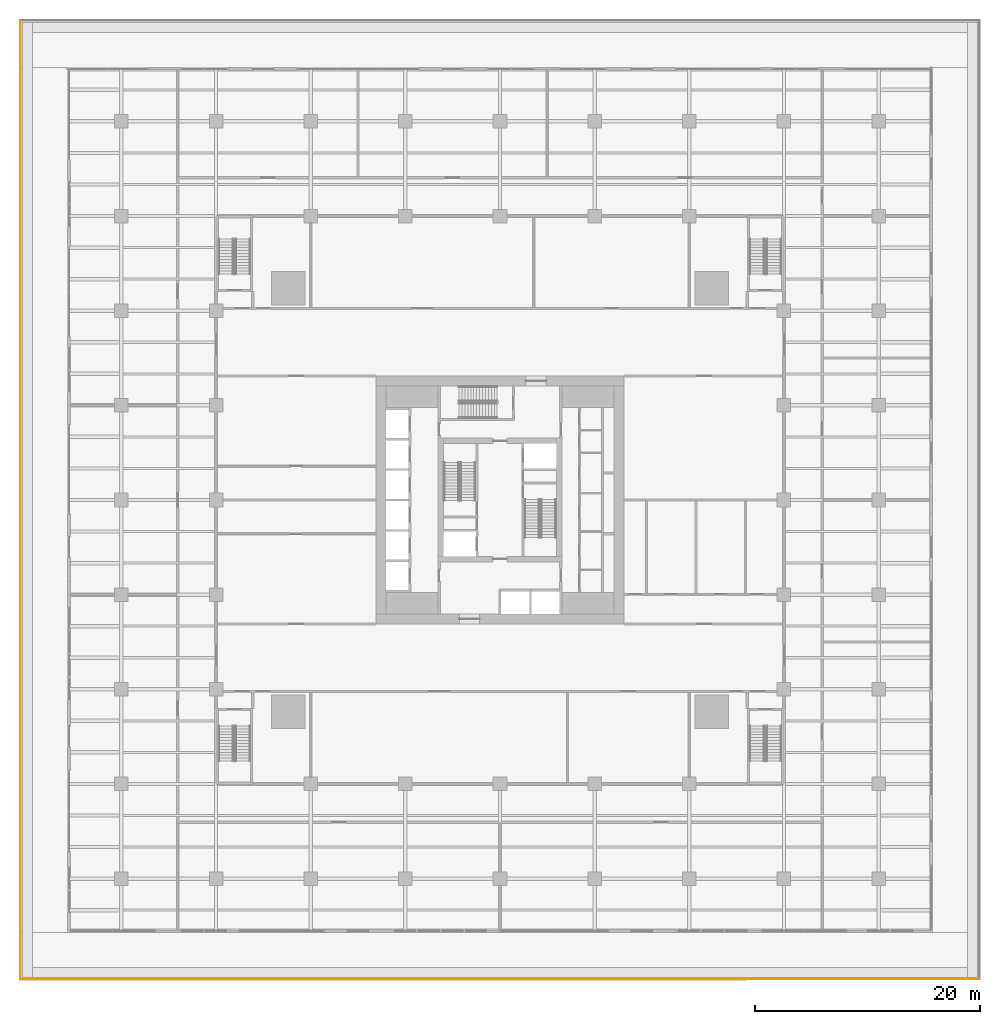
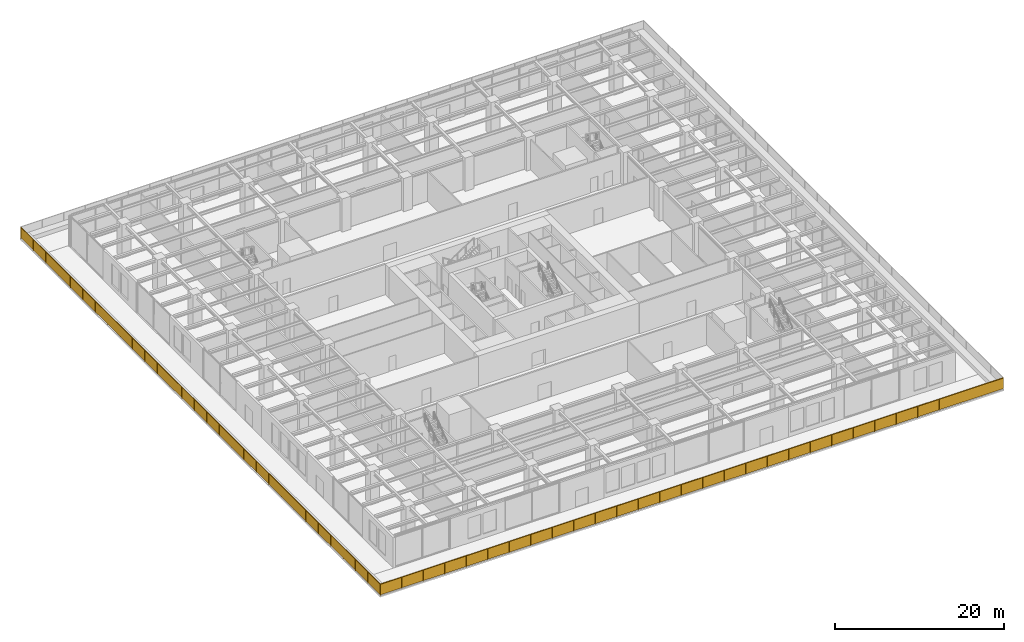
# One storey, part 25 of 32: 2 railings.
"""IFC4 building model written with IfcOpenShell, lengths in metres."""

from ifc_helpers import new_model, si_unit, direction, frame, origin, origin_2d, place, context, subcontext, project, spatial, rectangle, extrude, material, type_object, element, save


model = new_model("IFC4")

# Units and contexts
model_context = context("Model", 3, precision=1e-05, world=origin(), true_north=direction((0.0, 1.0)))
body_context = subcontext(model_context, "Body", "Model", "MODEL_VIEW")
ifc_project = project(units=[si_unit("LENGTHUNIT", "METRE"), si_unit("AREAUNIT", "SQUARE_METRE"), si_unit("VOLUMEUNIT", "CUBIC_METRE"), si_unit("PLANEANGLEUNIT", "RADIAN"), si_unit("MASSUNIT", "GRAM", prefix="KILO")], contexts=[model_context])

# Site, building, storey
site_placement = place(None, origin())
site = spatial("IfcSite", under=ifc_project, at=site_placement, CompositionType="ELEMENT")
building_placement = place(site_placement, origin())
building = spatial("IfcBuilding", under=site, at=building_placement, Name="Khepri Terraces", CompositionType="ELEMENT")
storey_placement = place(building_placement, frame((0.0, 0.0, 12.0)))
storey = spatial("IfcBuildingStorey", under=building, at=storey_placement, Name="L02", CompositionType="ELEMENT", Elevation=12.0)

# Railings
ifc_material = material(Name="Stainless steel grade 316", Category="steel")
railing_type = type_object("IfcRailingType", Name="GRD-TERR-1700", PredefinedType="GUARDRAIL", material=ifc_material)
railing_1_placement = place(storey_placement, frame((42.550048828125, -42.550048828125, 0.0)))
element("IfcRailing", 1, at=railing_1_placement, inside=storey, type_object=railing_type, Name="Terrace guard L02", PredefinedType="GUARDRAIL", context=body_context, shape_type="SweptSolid", body=[
    extrude(rectangle(XDim=0.050048828125, YDim=0.06005859375, at=origin_2d()), frame((0.0, 0.0, 1.669921875), z_axis=(-1.0, 0.0, 0.0), x_axis=(0.0, -1.0, 0.0)), (0.0, 0.0, 1.0), 85.10009765625),
    extrude(rectangle(XDim=2.884521484375, YDim=0.011962890625, at=origin_2d()), frame((-1.46728515625, 0.0, 0.10009765625), z_axis=(0.0, 0.0, 1.0), x_axis=(-1.0, 0.0, 0.0)), (0.0, 0.0, 1.0), 1.539794921875),
    extrude(rectangle(XDim=2.884521484375, YDim=0.011962890625, at=origin_2d()), frame((-4.401611328125, 0.0, 0.10009765625), z_axis=(0.0, 0.0, 1.0), x_axis=(-1.0, 0.0, 0.0)), (0.0, 0.0, 1.0), 1.539794921875),
    extrude(rectangle(XDim=2.884521484375, YDim=0.011962890625, at=origin_2d()), frame((-7.336181640625, 0.0, 0.10009765625), z_axis=(0.0, 0.0, 1.0), x_axis=(-1.0, 0.0, 0.0)), (0.0, 0.0, 1.0), 1.539794921875),
    extrude(rectangle(XDim=2.884521484375, YDim=0.011962890625, at=origin_2d()), frame((-10.270751953125, 0.0, 0.10009765625), z_axis=(0.0, 0.0, 1.0), x_axis=(-1.0, 0.0, 0.0)), (0.0, 0.0, 1.0), 1.539794921875),
    extrude(rectangle(XDim=2.884521484375, YDim=0.011962890625, at=origin_2d()), frame((-13.205078125, 0.0, 0.10009765625), z_axis=(0.0, 0.0, 1.0), x_axis=(-1.0, 0.0, 0.0)), (0.0, 0.0, 1.0), 1.539794921875),
    extrude(rectangle(XDim=2.884521484375, YDim=0.011962890625, at=origin_2d()), frame((-16.1396484375, 0.0, 0.10009765625), z_axis=(0.0, 0.0, 1.0), x_axis=(-1.0, 0.0, 0.0)), (0.0, 0.0, 1.0), 1.539794921875),
    extrude(rectangle(XDim=2.884521484375, YDim=0.011962890625, at=origin_2d()), frame((-19.07421875, 0.0, 0.10009765625), z_axis=(0.0, 0.0, 1.0), x_axis=(-1.0, 0.0, 0.0)), (0.0, 0.0, 1.0), 1.539794921875),
    extrude(rectangle(XDim=2.884521484375, YDim=0.011962890625, at=origin_2d()), frame((-22.008544921875, 0.0, 0.10009765625), z_axis=(0.0, 0.0, 1.0), x_axis=(-1.0, 0.0, 0.0)), (0.0, 0.0, 1.0), 1.539794921875),
    extrude(rectangle(XDim=2.884521484375, YDim=0.011962890625, at=origin_2d()), frame((-24.943115234375, 0.0, 0.10009765625), z_axis=(0.0, 0.0, 1.0), x_axis=(-1.0, 0.0, 0.0)), (0.0, 0.0, 1.0), 1.539794921875),
    extrude(rectangle(XDim=2.884521484375, YDim=0.011962890625, at=origin_2d()), frame((-27.877685546875, 0.0, 0.10009765625), z_axis=(0.0, 0.0, 1.0), x_axis=(-1.0, 0.0, 0.0)), (0.0, 0.0, 1.0), 1.539794921875),
    extrude(rectangle(XDim=2.884521484375, YDim=0.011962890625, at=origin_2d()), frame((-30.81201171875, 0.0, 0.10009765625), z_axis=(0.0, 0.0, 1.0), x_axis=(-1.0, 0.0, 0.0)), (0.0, 0.0, 1.0), 1.539794921875),
    extrude(rectangle(XDim=2.884521484375, YDim=0.011962890625, at=origin_2d()), frame((-33.74658203125, 0.0, 0.10009765625), z_axis=(0.0, 0.0, 1.0), x_axis=(-1.0, 0.0, 0.0)), (0.0, 0.0, 1.0), 1.539794921875),
    extrude(rectangle(XDim=2.884521484375, YDim=0.011962890625, at=origin_2d()), frame((-36.68115234375, 0.0, 0.10009765625), z_axis=(0.0, 0.0, 1.0), x_axis=(-1.0, 0.0, 0.0)), (0.0, 0.0, 1.0), 1.539794921875),
    extrude(rectangle(XDim=2.884521484375, YDim=0.011962890625, at=origin_2d()), frame((-39.615478515625, 0.0, 0.10009765625), z_axis=(0.0, 0.0, 1.0), x_axis=(-1.0, 0.0, 0.0)), (0.0, 0.0, 1.0), 1.539794921875),
    extrude(rectangle(XDim=2.884521484375, YDim=0.011962890625, at=origin_2d()), frame((-42.550048828125, 0.0, 0.10009765625), z_axis=(0.0, 0.0, 1.0), x_axis=(-1.0, 0.0, 0.0)), (0.0, 0.0, 1.0), 1.539794921875),
    extrude(rectangle(XDim=2.884521484375, YDim=0.011962890625, at=origin_2d()), frame((-45.484619140625, 0.0, 0.10009765625), z_axis=(0.0, 0.0, 1.0), x_axis=(-1.0, 0.0, 0.0)), (0.0, 0.0, 1.0), 1.539794921875),
    extrude(rectangle(XDim=2.884521484375, YDim=0.011962890625, at=origin_2d()), frame((-48.4189453125, 0.0, 0.10009765625), z_axis=(0.0, 0.0, 1.0), x_axis=(-1.0, 0.0, 0.0)), (0.0, 0.0, 1.0), 1.539794921875),
    extrude(rectangle(XDim=2.884521484375, YDim=0.011962890625, at=origin_2d()), frame((-51.353515625, 0.0, 0.10009765625), z_axis=(0.0, 0.0, 1.0), x_axis=(-1.0, 0.0, 0.0)), (0.0, 0.0, 1.0), 1.539794921875),
    extrude(rectangle(XDim=2.884521484375, YDim=0.011962890625, at=origin_2d()), frame((-54.2880859375, 0.0, 0.10009765625), z_axis=(0.0, 0.0, 1.0), x_axis=(-1.0, 0.0, 0.0)), (0.0, 0.0, 1.0), 1.539794921875),
    extrude(rectangle(XDim=2.884521484375, YDim=0.011962890625, at=origin_2d()), frame((-57.222412109375, 0.0, 0.10009765625), z_axis=(0.0, 0.0, 1.0), x_axis=(-1.0, 0.0, 0.0)), (0.0, 0.0, 1.0), 1.539794921875),
    extrude(rectangle(XDim=2.884521484375, YDim=0.011962890625, at=origin_2d()), frame((-60.156982421875, 0.0, 0.10009765625), z_axis=(0.0, 0.0, 1.0), x_axis=(-1.0, 0.0, 0.0)), (0.0, 0.0, 1.0), 1.539794921875),
    extrude(rectangle(XDim=2.884521484375, YDim=0.011962890625, at=origin_2d()), frame((-63.091552734375, 0.0, 0.10009765625), z_axis=(0.0, 0.0, 1.0), x_axis=(-1.0, 0.0, 0.0)), (0.0, 0.0, 1.0), 1.539794921875),
    extrude(rectangle(XDim=2.884521484375, YDim=0.011962890625, at=origin_2d()), frame((-66.02587890625, 0.0, 0.10009765625), z_axis=(0.0, 0.0, 1.0), x_axis=(-1.0, 0.0, 0.0)), (0.0, 0.0, 1.0), 1.539794921875),
    extrude(rectangle(XDim=2.884521484375, YDim=0.011962890625, at=origin_2d()), frame((-68.96044921875, 0.0, 0.10009765625), z_axis=(0.0, 0.0, 1.0), x_axis=(-1.0, 0.0, 0.0)), (0.0, 0.0, 1.0), 1.539794921875),
    extrude(rectangle(XDim=2.884521484375, YDim=0.011962890625, at=origin_2d()), frame((-71.89501953125, 0.0, 0.10009765625), z_axis=(0.0, 0.0, 1.0), x_axis=(-1.0, 0.0, 0.0)), (0.0, 0.0, 1.0), 1.539794921875),
    extrude(rectangle(XDim=2.884521484375, YDim=0.011962890625, at=origin_2d()), frame((-74.829345703125, 0.0, 0.10009765625), z_axis=(0.0, 0.0, 1.0), x_axis=(-1.0, 0.0, 0.0)), (0.0, 0.0, 1.0), 1.539794921875),
    extrude(rectangle(XDim=2.884521484375, YDim=0.011962890625, at=origin_2d()), frame((-77.763916015625, 0.0, 0.10009765625), z_axis=(0.0, 0.0, 1.0), x_axis=(-1.0, 0.0, 0.0)), (0.0, 0.0, 1.0), 1.539794921875),
    extrude(rectangle(XDim=2.884521484375, YDim=0.011962890625, at=origin_2d()), frame((-80.698486328125, 0.0, 0.10009765625), z_axis=(0.0, 0.0, 1.0), x_axis=(-1.0, 0.0, 0.0)), (0.0, 0.0, 1.0), 1.539794921875),
    extrude(rectangle(XDim=2.884521484375, YDim=0.011962890625, at=origin_2d()), frame((-83.6328125, 0.0, 0.10009765625), z_axis=(0.0, 0.0, 1.0), x_axis=(-1.0, 0.0, 0.0)), (0.0, 0.0, 1.0), 1.539794921875),
    extrude(rectangle(XDim=0.050048828125, YDim=0.050048828125, at=origin_2d()), frame((-2.9345703125, 0.0, 0.0)), (0.0, 0.0, 1.0), 1.639892578125),
    extrude(rectangle(XDim=0.050048828125, YDim=0.050048828125, at=origin_2d()), frame((-5.868896484375, 0.0, 0.0)), (0.0, 0.0, 1.0), 1.639892578125),
    extrude(rectangle(XDim=0.050048828125, YDim=0.050048828125, at=origin_2d()), frame((-8.803466796875, 0.0, 0.0)), (0.0, 0.0, 1.0), 1.639892578125),
    extrude(rectangle(XDim=0.050048828125, YDim=0.050048828125, at=origin_2d()), frame((-11.738037109375, 0.0, 0.0)), (0.0, 0.0, 1.0), 1.639892578125),
    extrude(rectangle(XDim=0.050048828125, YDim=0.050048828125, at=origin_2d()), frame((-14.67236328125, 0.0, 0.0)), (0.0, 0.0, 1.0), 1.639892578125),
    extrude(rectangle(XDim=0.050048828125, YDim=0.050048828125, at=origin_2d()), frame((-17.60693359375, 0.0, 0.0)), (0.0, 0.0, 1.0), 1.639892578125),
    extrude(rectangle(XDim=0.050048828125, YDim=0.050048828125, at=origin_2d()), frame((-20.54150390625, 0.0, 0.0)), (0.0, 0.0, 1.0), 1.639892578125),
    extrude(rectangle(XDim=0.050048828125, YDim=0.050048828125, at=origin_2d()), frame((-23.475830078125, 0.0, 0.0)), (0.0, 0.0, 1.0), 1.639892578125),
    extrude(rectangle(XDim=0.050048828125, YDim=0.050048828125, at=origin_2d()), frame((-26.410400390625, 0.0, 0.0)), (0.0, 0.0, 1.0), 1.639892578125),
    extrude(rectangle(XDim=0.050048828125, YDim=0.050048828125, at=origin_2d()), frame((-29.344970703125, 0.0, 0.0)), (0.0, 0.0, 1.0), 1.639892578125),
    extrude(rectangle(XDim=0.050048828125, YDim=0.050048828125, at=origin_2d()), frame((-32.279296875, 0.0, 0.0)), (0.0, 0.0, 1.0), 1.639892578125),
    extrude(rectangle(XDim=0.050048828125, YDim=0.050048828125, at=origin_2d()), frame((-35.2138671875, 0.0, 0.0)), (0.0, 0.0, 1.0), 1.639892578125),
    extrude(rectangle(XDim=0.050048828125, YDim=0.050048828125, at=origin_2d()), frame((-38.1484375, 0.0, 0.0)), (0.0, 0.0, 1.0), 1.639892578125),
    extrude(rectangle(XDim=0.050048828125, YDim=0.050048828125, at=origin_2d()), frame((-41.082763671875, 0.0, 0.0)), (0.0, 0.0, 1.0), 1.639892578125),
    extrude(rectangle(XDim=0.050048828125, YDim=0.050048828125, at=origin_2d()), frame((-44.017333984375, 0.0, 0.0)), (0.0, 0.0, 1.0), 1.639892578125),
    extrude(rectangle(XDim=0.050048828125, YDim=0.050048828125, at=origin_2d()), frame((-46.95166015625, 0.0, 0.0)), (0.0, 0.0, 1.0), 1.639892578125),
    extrude(rectangle(XDim=0.050048828125, YDim=0.050048828125, at=origin_2d()), frame((-49.88623046875, 0.0, 0.0)), (0.0, 0.0, 1.0), 1.639892578125),
    extrude(rectangle(XDim=0.050048828125, YDim=0.050048828125, at=origin_2d()), frame((-52.82080078125, 0.0, 0.0)), (0.0, 0.0, 1.0), 1.639892578125),
    extrude(rectangle(XDim=0.050048828125, YDim=0.050048828125, at=origin_2d()), frame((-55.755126953125, 0.0, 0.0)), (0.0, 0.0, 1.0), 1.639892578125),
    extrude(rectangle(XDim=0.050048828125, YDim=0.050048828125, at=origin_2d()), frame((-58.689697265625, 0.0, 0.0)), (0.0, 0.0, 1.0), 1.639892578125),
    extrude(rectangle(XDim=0.050048828125, YDim=0.050048828125, at=origin_2d()), frame((-61.624267578125, 0.0, 0.0)), (0.0, 0.0, 1.0), 1.639892578125),
    extrude(rectangle(XDim=0.050048828125, YDim=0.050048828125, at=origin_2d()), frame((-64.55859375, 0.0, 0.0)), (0.0, 0.0, 1.0), 1.639892578125),
    extrude(rectangle(XDim=0.050048828125, YDim=0.050048828125, at=origin_2d()), frame((-67.4931640625, 0.0, 0.0)), (0.0, 0.0, 1.0), 1.639892578125),
    extrude(rectangle(XDim=0.050048828125, YDim=0.050048828125, at=origin_2d()), frame((-70.427734375, 0.0, 0.0)), (0.0, 0.0, 1.0), 1.639892578125),
    extrude(rectangle(XDim=0.050048828125, YDim=0.050048828125, at=origin_2d()), frame((-73.362060546875, 0.0, 0.0)), (0.0, 0.0, 1.0), 1.639892578125),
    extrude(rectangle(XDim=0.050048828125, YDim=0.050048828125, at=origin_2d()), frame((-76.296630859375, 0.0, 0.0)), (0.0, 0.0, 1.0), 1.639892578125),
    extrude(rectangle(XDim=0.050048828125, YDim=0.050048828125, at=origin_2d()), frame((-79.231201171875, 0.0, 0.0)), (0.0, 0.0, 1.0), 1.639892578125),
    extrude(rectangle(XDim=0.050048828125, YDim=0.050048828125, at=origin_2d()), frame((-82.16552734375, 0.0, 0.0)), (0.0, 0.0, 1.0), 1.639892578125),
    extrude(rectangle(XDim=0.050048828125, YDim=0.050048828125, at=origin_2d()), frame((-85.10009765625, 0.0, 0.0)), (0.0, 0.0, 1.0), 1.639892578125),
])
railing_2_placement = place(storey_placement, frame((-42.550048828125, -42.550048828125, 0.0)))
element("IfcRailing", 2, at=railing_2_placement, inside=storey, type_object=railing_type, Name="Terrace guard L02", PredefinedType="GUARDRAIL", context=body_context, shape_type="SweptSolid", body=[
    extrude(rectangle(XDim=0.050048828125, YDim=0.06005859375, at=origin_2d()), frame((0.0, 0.0, 1.669921875), z_axis=(0.0, 1.0, 0.0), x_axis=(-1.0, 0.0, 0.0)), (0.0, 0.0, 1.0), 85.02001953125),
    extrude(rectangle(XDim=2.881591796875, YDim=0.011962890625, at=origin_2d()), frame((0.0, 1.4658203125, 0.10009765625), z_axis=(0.0, 0.0, 1.0), x_axis=(0.0, 1.0, 0.0)), (0.0, 0.0, 1.0), 1.539794921875),
    extrude(rectangle(XDim=2.881591796875, YDim=0.011962890625, at=origin_2d()), frame((0.0, 4.397705078125, 0.10009765625), z_axis=(0.0, 0.0, 1.0), x_axis=(0.0, 1.0, 0.0)), (0.0, 0.0, 1.0), 1.539794921875),
    extrude(rectangle(XDim=2.881591796875, YDim=0.011962890625, at=origin_2d()), frame((0.0, 7.329345703125, 0.10009765625), z_axis=(0.0, 0.0, 1.0), x_axis=(0.0, 1.0, 0.0)), (0.0, 0.0, 1.0), 1.539794921875),
    extrude(rectangle(XDim=2.881591796875, YDim=0.011962890625, at=origin_2d()), frame((0.0, 10.260986328125, 0.10009765625), z_axis=(0.0, 0.0, 1.0), x_axis=(0.0, 1.0, 0.0)), (0.0, 0.0, 1.0), 1.539794921875),
    extrude(rectangle(XDim=2.881591796875, YDim=0.011962890625, at=origin_2d()), frame((0.0, 13.19287109375, 0.10009765625), z_axis=(0.0, 0.0, 1.0), x_axis=(0.0, 1.0, 0.0)), (0.0, 0.0, 1.0), 1.539794921875),
    extrude(rectangle(XDim=2.881591796875, YDim=0.011962890625, at=origin_2d()), frame((0.0, 16.12451171875, 0.10009765625), z_axis=(0.0, 0.0, 1.0), x_axis=(0.0, 1.0, 0.0)), (0.0, 0.0, 1.0), 1.539794921875),
    extrude(rectangle(XDim=2.881591796875, YDim=0.011962890625, at=origin_2d()), frame((0.0, 19.05615234375, 0.10009765625), z_axis=(0.0, 0.0, 1.0), x_axis=(0.0, 1.0, 0.0)), (0.0, 0.0, 1.0), 1.539794921875),
    extrude(rectangle(XDim=2.881591796875, YDim=0.011962890625, at=origin_2d()), frame((0.0, 21.988037109375, 0.10009765625), z_axis=(0.0, 0.0, 1.0), x_axis=(0.0, 1.0, 0.0)), (0.0, 0.0, 1.0), 1.539794921875),
    extrude(rectangle(XDim=2.881591796875, YDim=0.011962890625, at=origin_2d()), frame((0.0, 24.919677734375, 0.10009765625), z_axis=(0.0, 0.0, 1.0), x_axis=(0.0, 1.0, 0.0)), (0.0, 0.0, 1.0), 1.539794921875),
    extrude(rectangle(XDim=2.881591796875, YDim=0.011962890625, at=origin_2d()), frame((0.0, 27.851318359375, 0.10009765625), z_axis=(0.0, 0.0, 1.0), x_axis=(0.0, 1.0, 0.0)), (0.0, 0.0, 1.0), 1.539794921875),
    extrude(rectangle(XDim=2.881591796875, YDim=0.011962890625, at=origin_2d()), frame((0.0, 30.783203125, 0.10009765625), z_axis=(0.0, 0.0, 1.0), x_axis=(0.0, 1.0, 0.0)), (0.0, 0.0, 1.0), 1.539794921875),
    extrude(rectangle(XDim=2.881591796875, YDim=0.011962890625, at=origin_2d()), frame((0.0, 33.71484375, 0.10009765625), z_axis=(0.0, 0.0, 1.0), x_axis=(0.0, 1.0, 0.0)), (0.0, 0.0, 1.0), 1.539794921875),
    extrude(rectangle(XDim=2.881591796875, YDim=0.011962890625, at=origin_2d()), frame((0.0, 36.646484375, 0.10009765625), z_axis=(0.0, 0.0, 1.0), x_axis=(0.0, 1.0, 0.0)), (0.0, 0.0, 1.0), 1.539794921875),
    extrude(rectangle(XDim=2.881591796875, YDim=0.011962890625, at=origin_2d()), frame((0.0, 39.578369140625, 0.10009765625), z_axis=(0.0, 0.0, 1.0), x_axis=(0.0, 1.0, 0.0)), (0.0, 0.0, 1.0), 1.539794921875),
    extrude(rectangle(XDim=2.881591796875, YDim=0.011962890625, at=origin_2d()), frame((0.0, 42.510009765625, 0.10009765625), z_axis=(0.0, 0.0, 1.0), x_axis=(0.0, 1.0, 0.0)), (0.0, 0.0, 1.0), 1.539794921875),
    extrude(rectangle(XDim=2.881591796875, YDim=0.011962890625, at=origin_2d()), frame((0.0, 45.441650390625, 0.10009765625), z_axis=(0.0, 0.0, 1.0), x_axis=(0.0, 1.0, 0.0)), (0.0, 0.0, 1.0), 1.539794921875),
    extrude(rectangle(XDim=2.881591796875, YDim=0.011962890625, at=origin_2d()), frame((0.0, 48.37353515625, 0.10009765625), z_axis=(0.0, 0.0, 1.0), x_axis=(0.0, 1.0, 0.0)), (0.0, 0.0, 1.0), 1.539794921875),
    extrude(rectangle(XDim=2.881591796875, YDim=0.011962890625, at=origin_2d()), frame((0.0, 51.30517578125, 0.10009765625), z_axis=(0.0, 0.0, 1.0), x_axis=(0.0, 1.0, 0.0)), (0.0, 0.0, 1.0), 1.539794921875),
    extrude(rectangle(XDim=2.881591796875, YDim=0.011962890625, at=origin_2d()), frame((0.0, 54.23681640625, 0.10009765625), z_axis=(0.0, 0.0, 1.0), x_axis=(0.0, 1.0, 0.0)), (0.0, 0.0, 1.0), 1.539794921875),
    extrude(rectangle(XDim=2.881591796875, YDim=0.011962890625, at=origin_2d()), frame((0.0, 57.168701171875, 0.10009765625), z_axis=(0.0, 0.0, 1.0), x_axis=(0.0, 1.0, 0.0)), (0.0, 0.0, 1.0), 1.539794921875),
    extrude(rectangle(XDim=2.881591796875, YDim=0.011962890625, at=origin_2d()), frame((0.0, 60.100341796875, 0.10009765625), z_axis=(0.0, 0.0, 1.0), x_axis=(0.0, 1.0, 0.0)), (0.0, 0.0, 1.0), 1.539794921875),
    extrude(rectangle(XDim=2.881591796875, YDim=0.011962890625, at=origin_2d()), frame((0.0, 63.031982421875, 0.10009765625), z_axis=(0.0, 0.0, 1.0), x_axis=(0.0, 1.0, 0.0)), (0.0, 0.0, 1.0), 1.539794921875),
    extrude(rectangle(XDim=2.881591796875, YDim=0.011962890625, at=origin_2d()), frame((0.0, 65.9638671875, 0.10009765625), z_axis=(0.0, 0.0, 1.0), x_axis=(0.0, 1.0, 0.0)), (0.0, 0.0, 1.0), 1.539794921875),
    extrude(rectangle(XDim=2.881591796875, YDim=0.011962890625, at=origin_2d()), frame((0.0, 68.8955078125, 0.10009765625), z_axis=(0.0, 0.0, 1.0), x_axis=(0.0, 1.0, 0.0)), (0.0, 0.0, 1.0), 1.539794921875),
    extrude(rectangle(XDim=2.881591796875, YDim=0.011962890625, at=origin_2d()), frame((0.0, 71.8271484375, 0.10009765625), z_axis=(0.0, 0.0, 1.0), x_axis=(0.0, 1.0, 0.0)), (0.0, 0.0, 1.0), 1.539794921875),
    extrude(rectangle(XDim=2.881591796875, YDim=0.011962890625, at=origin_2d()), frame((0.0, 74.759033203125, 0.10009765625), z_axis=(0.0, 0.0, 1.0), x_axis=(0.0, 1.0, 0.0)), (0.0, 0.0, 1.0), 1.539794921875),
    extrude(rectangle(XDim=2.881591796875, YDim=0.011962890625, at=origin_2d()), frame((0.0, 77.690673828125, 0.10009765625), z_axis=(0.0, 0.0, 1.0), x_axis=(0.0, 1.0, 0.0)), (0.0, 0.0, 1.0), 1.539794921875),
    extrude(rectangle(XDim=2.881591796875, YDim=0.011962890625, at=origin_2d()), frame((0.0, 80.622314453125, 0.10009765625), z_axis=(0.0, 0.0, 1.0), x_axis=(0.0, 1.0, 0.0)), (0.0, 0.0, 1.0), 1.539794921875),
    extrude(rectangle(XDim=2.881591796875, YDim=0.011962890625, at=origin_2d()), frame((0.0, 83.55419921875, 0.10009765625), z_axis=(0.0, 0.0, 1.0), x_axis=(0.0, 1.0, 0.0)), (0.0, 0.0, 1.0), 1.539794921875),
    extrude(rectangle(XDim=0.050048828125, YDim=0.050048828125, at=origin_2d()), frame((0.0, 2.931640625, 0.0)), (0.0, 0.0, 1.0), 1.639892578125),
    extrude(rectangle(XDim=0.050048828125, YDim=0.050048828125, at=origin_2d()), frame((0.0, 5.863525390625, 0.0)), (0.0, 0.0, 1.0), 1.639892578125),
    extrude(rectangle(XDim=0.050048828125, YDim=0.050048828125, at=origin_2d()), frame((0.0, 8.795166015625, 0.0)), (0.0, 0.0, 1.0), 1.639892578125),
    extrude(rectangle(XDim=0.050048828125, YDim=0.050048828125, at=origin_2d()), frame((0.0, 11.726806640625, 0.0)), (0.0, 0.0, 1.0), 1.639892578125),
    extrude(rectangle(XDim=0.050048828125, YDim=0.050048828125, at=origin_2d()), frame((0.0, 14.65869140625, 0.0)), (0.0, 0.0, 1.0), 1.639892578125),
    extrude(rectangle(XDim=0.050048828125, YDim=0.050048828125, at=origin_2d()), frame((0.0, 17.59033203125, 0.0)), (0.0, 0.0, 1.0), 1.639892578125),
    extrude(rectangle(XDim=0.050048828125, YDim=0.050048828125, at=origin_2d()), frame((0.0, 20.52197265625, 0.0)), (0.0, 0.0, 1.0), 1.639892578125),
    extrude(rectangle(XDim=0.050048828125, YDim=0.050048828125, at=origin_2d()), frame((0.0, 23.453857421875, 0.0)), (0.0, 0.0, 1.0), 1.639892578125),
    extrude(rectangle(XDim=0.050048828125, YDim=0.050048828125, at=origin_2d()), frame((0.0, 26.385498046875, 0.0)), (0.0, 0.0, 1.0), 1.639892578125),
    extrude(rectangle(XDim=0.050048828125, YDim=0.050048828125, at=origin_2d()), frame((0.0, 29.317138671875, 0.0)), (0.0, 0.0, 1.0), 1.639892578125),
    extrude(rectangle(XDim=0.050048828125, YDim=0.050048828125, at=origin_2d()), frame((0.0, 32.2490234375, 0.0)), (0.0, 0.0, 1.0), 1.639892578125),
    extrude(rectangle(XDim=0.050048828125, YDim=0.050048828125, at=origin_2d()), frame((0.0, 35.1806640625, 0.0)), (0.0, 0.0, 1.0), 1.639892578125),
    extrude(rectangle(XDim=0.050048828125, YDim=0.050048828125, at=origin_2d()), frame((0.0, 38.1123046875, 0.0)), (0.0, 0.0, 1.0), 1.639892578125),
    extrude(rectangle(XDim=0.050048828125, YDim=0.050048828125, at=origin_2d()), frame((0.0, 41.044189453125, 0.0)), (0.0, 0.0, 1.0), 1.639892578125),
    extrude(rectangle(XDim=0.050048828125, YDim=0.050048828125, at=origin_2d()), frame((0.0, 43.975830078125, 0.0)), (0.0, 0.0, 1.0), 1.639892578125),
    extrude(rectangle(XDim=0.050048828125, YDim=0.050048828125, at=origin_2d()), frame((0.0, 46.90771484375, 0.0)), (0.0, 0.0, 1.0), 1.639892578125),
    extrude(rectangle(XDim=0.050048828125, YDim=0.050048828125, at=origin_2d()), frame((0.0, 49.83935546875, 0.0)), (0.0, 0.0, 1.0), 1.639892578125),
    extrude(rectangle(XDim=0.050048828125, YDim=0.050048828125, at=origin_2d()), frame((0.0, 52.77099609375, 0.0)), (0.0, 0.0, 1.0), 1.639892578125),
    extrude(rectangle(XDim=0.050048828125, YDim=0.050048828125, at=origin_2d()), frame((0.0, 55.702880859375, 0.0)), (0.0, 0.0, 1.0), 1.639892578125),
    extrude(rectangle(XDim=0.050048828125, YDim=0.050048828125, at=origin_2d()), frame((0.0, 58.634521484375, 0.0)), (0.0, 0.0, 1.0), 1.639892578125),
    extrude(rectangle(XDim=0.050048828125, YDim=0.050048828125, at=origin_2d()), frame((0.0, 61.566162109375, 0.0)), (0.0, 0.0, 1.0), 1.639892578125),
    extrude(rectangle(XDim=0.050048828125, YDim=0.050048828125, at=origin_2d()), frame((0.0, 64.498046875, 0.0)), (0.0, 0.0, 1.0), 1.639892578125),
    extrude(rectangle(XDim=0.050048828125, YDim=0.050048828125, at=origin_2d()), frame((0.0, 67.4296875, 0.0)), (0.0, 0.0, 1.0), 1.639892578125),
    extrude(rectangle(XDim=0.050048828125, YDim=0.050048828125, at=origin_2d()), frame((0.0, 70.361328125, 0.0)), (0.0, 0.0, 1.0), 1.639892578125),
    extrude(rectangle(XDim=0.050048828125, YDim=0.050048828125, at=origin_2d()), frame((0.0, 73.293212890625, 0.0)), (0.0, 0.0, 1.0), 1.639892578125),
    extrude(rectangle(XDim=0.050048828125, YDim=0.050048828125, at=origin_2d()), frame((0.0, 76.224853515625, 0.0)), (0.0, 0.0, 1.0), 1.639892578125),
    extrude(rectangle(XDim=0.050048828125, YDim=0.050048828125, at=origin_2d()), frame((0.0, 79.156494140625, 0.0)), (0.0, 0.0, 1.0), 1.639892578125),
    extrude(rectangle(XDim=0.050048828125, YDim=0.050048828125, at=origin_2d()), frame((0.0, 82.08837890625, 0.0)), (0.0, 0.0, 1.0), 1.639892578125),
    extrude(rectangle(XDim=0.050048828125, YDim=0.050048828125, at=origin_2d()), frame((0.0, 85.02001953125, 0.0)), (0.0, 0.0, 1.0), 1.639892578125),
])

save(model, "model.ifc")
